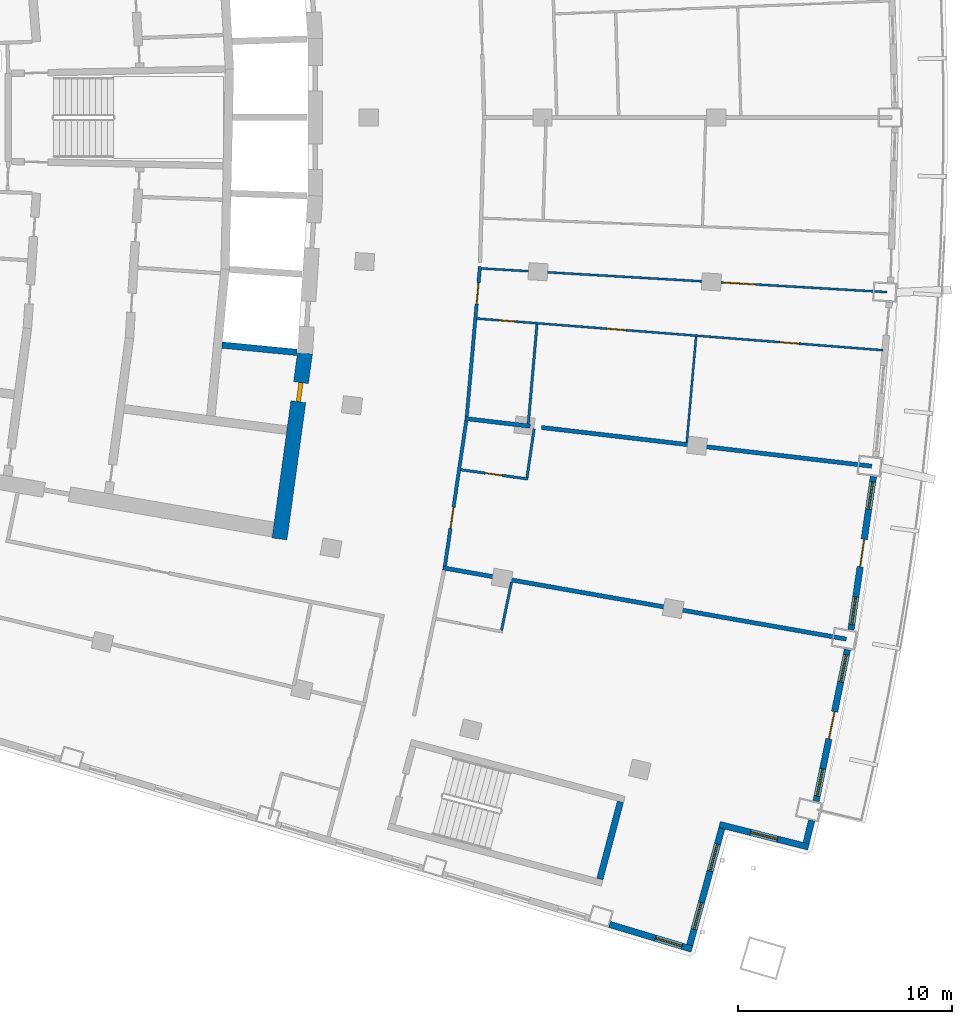
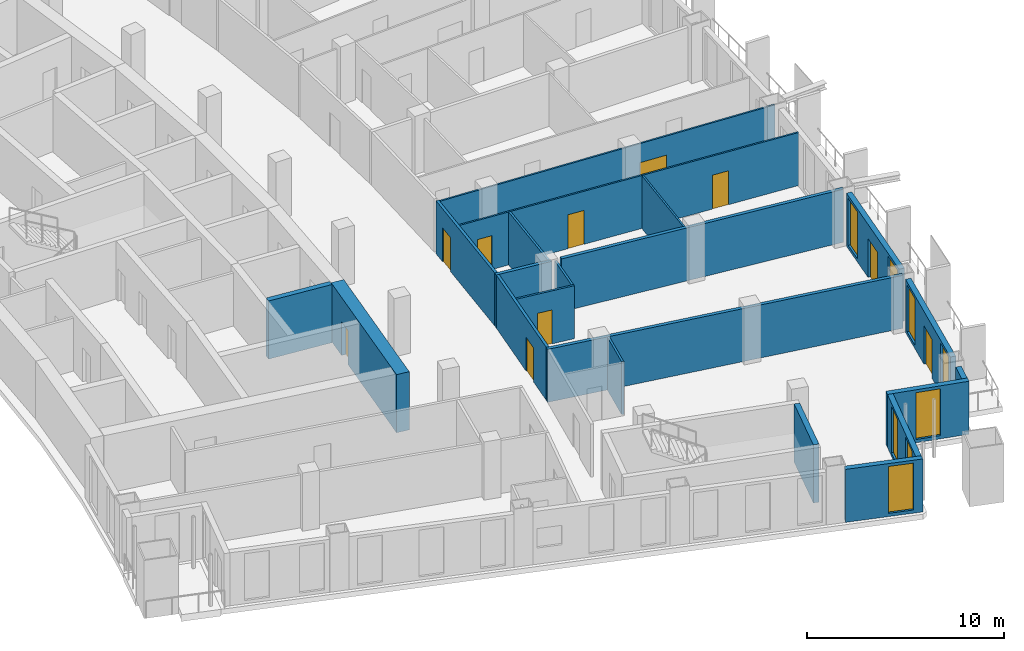
# One storey, part 12 of 20: 21 walls, 10 doors, 8 windows, 18 openings.
"""IFC4 building model written with IfcOpenShell, lengths in metres."""

from ifc_helpers import new_model, si_unit, direction, frame, frame_2d, origin, place, context, subcontext, project, spatial, rectangle, extrude, material, layer, layer_set, type_object, element, fill, save


model = new_model("IFC4")

# Units and contexts
model_context = context("Model", 3, precision=1e-05, world=origin(), true_north=direction((0.0, 1.0)))
body_context = subcontext(model_context, "Body", "Model", "MODEL_VIEW")
ifc_project = project(units=[si_unit("LENGTHUNIT", "METRE"), si_unit("AREAUNIT", "SQUARE_METRE"), si_unit("VOLUMEUNIT", "CUBIC_METRE"), si_unit("PLANEANGLEUNIT", "RADIAN"), si_unit("MASSUNIT", "GRAM", prefix="KILO")], contexts=[model_context])

# Site, building, storey
site_placement = place(None, origin())
site = spatial("IfcSite", under=ifc_project, at=site_placement, CompositionType="ELEMENT")
building_placement = place(site_placement, origin())
building = spatial("IfcBuilding", under=site, at=building_placement, Name="Alderwake Tower", CompositionType="ELEMENT")
storey_placement = place(building_placement, frame((0.0, 0.0, 142.39990234375)))
storey = spatial("IfcBuildingStorey", under=building, at=storey_placement, Name="L34", CompositionType="ELEMENT", Elevation=142.39990234375)

# Wall, opening, door
ifc_material_1 = material(Name="Concrete C70/85", Category="concrete")
ifc_layer_1 = layer(ifc_material_1, 0.699951171875)
ifc_layer_set_1 = layer_set([ifc_layer_1], Name="Core wall outer 700 C70-85")
wall_type_1 = type_object("IfcWallType", Name="Core wall outer 700 C70-85", PredefinedType="SHEAR", material=ifc_layer_set_1)
wall_1_placement = place(storey_placement, frame((32.81298828125, 49.97412109375, 0.0), z_axis=(0.0, 0.0, 1.0), x_axis=(-0.135835706655, -0.99073137671, 0.0)))
wall_1 = element("IfcWall", 1, at=wall_1_placement, inside=storey, type_object=wall_type_1, Name="Core wall CW.012", PredefinedType="SHEAR", context=body_context, shape_type="SweptSolid", body=[
    extrude(rectangle(XDim=8.790771484375, YDim=0.699951171875, at=frame_2d((4.3955078125, 0.0))), origin(), (0.0, 0.0, 1.0), 3.60009765625),
])
opening_1_placement = place(wall_1_placement, frame((1.40478515625, 0.0, 0.0)))
opening_1 = element("IfcOpeningElement", 2, at=opening_1_placement, cuts=wall_1, Name="Opening C050", PredefinedType="OPENING", context=body_context, shape_type="SweptSolid", body=[
    extrude(rectangle(XDim=0.89990234375, YDim=2.10009765625, at=frame_2d((0.449951171875, 1.050048828125))), frame((0.0, 0.35986328125, 0.0), z_axis=(0.0, -1.0, 0.0), x_axis=(1.0, 0.0, 0.0)), (0.0, 0.0, 1.0), 0.719970703125),
])
ifc_material_2 = material(Name="Painted steel leaf", Category="steel")
door_type_1 = type_object("IfcDoorType", Name="Core room door 900", OperationType="SINGLE_SWING_LEFT", PredefinedType="DOOR", material=ifc_material_2)
door_1_placement = place(opening_1_placement, origin())
door_1 = element("IfcDoor", 3, at=door_1_placement, inside=storey, type_object=door_type_1, Name="Room door", OperationType="SINGLE_SWING_RIGHT", OverallHeight=2.10009765625, OverallWidth=0.89990234375, PredefinedType="DOOR", context=body_context, shape_type="SweptSolid", body=[
    extrude(rectangle(XDim=0.89990234375, YDim=2.10009765625, at=frame_2d((0.449951171875, 1.050048828125))), frame((0.0, 0.10009765625, 0.0), z_axis=(0.0, -1.0, 0.0), x_axis=(1.0, 0.0, 0.0)), (0.0, 0.0, 1.0), 0.199951171875),
])
fill(opening_1, door_1)

# Walls
ifc_material_3 = material(Name="Concrete C70/85", Category="concrete")
ifc_layer_2 = layer(ifc_material_3, 0.300048828125)
ifc_layer_set_2 = layer_set([ifc_layer_2], Name="Core wall shaft 300 C70-85")
wall_type_2 = type_object("IfcWallType", Name="Core wall shaft 300 C70-85", PredefinedType="SHEAR", material=ifc_layer_set_2)
wall_2_placement = place(storey_placement, frame((28.92529296875, 50.341552734375, 0.0), z_axis=(0.0, 0.0, 1.0), x_axis=(0.995245524877, -0.097397870674, 0.0)))
element("IfcWall", 4, at=wall_2_placement, inside=storey, type_object=wall_type_2, Name="Core wall CW.064", PredefinedType="SHEAR", context=body_context, shape_type="SweptSolid", body=[
    extrude(rectangle(XDim=3.5244140625, YDim=0.300048828125, at=frame_2d((1.76220703125, 0.0))), origin(), (0.0, 0.0, 1.0), 3.60009765625),
])
ifc_material_4 = material(Name="Concrete C70/85", Category="concrete")
ifc_layer_3 = layer(ifc_material_4, 0.300048828125)
ifc_layer_set_3 = layer_set([ifc_layer_3], Name="Core wall stair enclosure 300 C70-85")
wall_type_3 = type_object("IfcWallType", Name="Core wall stair enclosure 300 C70-85", PredefinedType="SHEAR", material=ifc_layer_set_3)
wall_3_placement = place(storey_placement, frame((46.6162109375, 25.334716796875, 0.0), z_axis=(0.0, 0.0, 1.0), x_axis=(0.257366821694, 0.966313778796, 0.0)))
element("IfcWall", 5, at=wall_3_placement, inside=storey, type_object=wall_type_3, Name="Core wall CW.085", PredefinedType="SHEAR", context=body_context, shape_type="SweptSolid", body=[
    extrude(rectangle(XDim=3.749755859375, YDim=0.300048828125, at=frame_2d((1.875, 0.0))), origin(), (0.0, 0.0, 1.0), 3.60009765625),
])

# Wall, opening, door
ifc_material_5 = material(Name="Gypsum board on metal studs, rated")
ifc_layer_4 = layer(ifc_material_5, 0.159912109375)
ifc_layer_set_4 = layer_set([ifc_layer_4], Name="Corridor wall 160")
wall_type_4 = type_object("IfcWallType", Name="Corridor wall 160", PredefinedType="PARTITIONING", material=ifc_layer_set_4)
wall_4_placement = place(storey_placement, frame((40.3623046875, 46.7939453125, 0.0), z_axis=(0.0, 0.0, 1.0), x_axis=(-0.1455042199, -0.989357630987, 0.0)))
wall_4 = element("IfcWall", 6, at=wall_4_placement, inside=storey, type_object=wall_type_4, Name="WL/L34/W22", PredefinedType="PARTITIONING", context=body_context, shape_type="SweptSolid", body=[
    extrude(rectangle(XDim=6.87109375, YDim=0.159912109375, at=frame_2d((3.435546875, 0.0))), origin(), (0.0, 0.0, 1.0), 3.280029296875),
])
opening_2_placement = place(wall_4_placement, frame((4.087890625, 0.0, 0.0)))
opening_2 = element("IfcOpeningElement", 7, at=opening_2_placement, cuts=wall_4, Name="Opening R09-U04.1", PredefinedType="OPENING", context=body_context, shape_type="SweptSolid", body=[
    extrude(rectangle(XDim=1.0, YDim=2.10009765625, at=frame_2d((0.5, 1.050048828125))), frame((0.0, 0.08984375, 0.0), z_axis=(0.0, -1.0, 0.0), x_axis=(1.0, 0.0, 0.0)), (0.0, 0.0, 1.0), 0.179931640625),
])
ifc_material_6 = material(Name="Solid timber leaf in steel frame", Category="steel")
door_type_2 = type_object("IfcDoorType", Name="Flat entrance door 1000 fire-rated", OperationType="SINGLE_SWING_LEFT", PredefinedType="DOOR", material=ifc_material_6)
door_2_placement = place(opening_2_placement, origin())
door_2 = element("IfcDoor", 8, at=door_2_placement, inside=storey, type_object=door_type_2, Name="DR/L34/U04.1", OperationType="SINGLE_SWING_LEFT", OverallHeight=2.10009765625, OverallWidth=1.0, PredefinedType="DOOR", context=body_context, shape_type="SweptSolid", body=[
    extrude(rectangle(XDim=1.0, YDim=2.10009765625, at=frame_2d((0.5, 1.050048828125))), frame((0.0, 0.02490234375, 0.0), z_axis=(0.0, -1.0, 0.0), x_axis=(1.0, 0.0, 0.0)), (0.0, 0.0, 1.0), 0.050048828125),
])
fill(opening_2, door_2)

wall_5_placement = place(storey_placement, frame((41.001953125, 54.013671875, 0.0), z_axis=(0.0, 0.0, 1.0), x_axis=(-0.087430787456, -0.996170596537, 0.0)))
wall_5 = element("IfcWall", 9, at=wall_5_placement, inside=storey, type_object=wall_type_4, Name="WL/L34/W24", PredefinedType="PARTITIONING", context=body_context, shape_type="SweptSolid", body=[
    extrude(rectangle(XDim=7.048095703125, YDim=0.159912109375, at=frame_2d((3.52392578125, 0.0))), origin(), (0.0, 0.0, 1.0), 3.280029296875),
])
opening_3_placement = place(wall_5_placement, frame((0.75830078125, 0.0, 0.0)))
opening_3 = element("IfcOpeningElement", 10, at=opening_3_placement, cuts=wall_5, Name="Opening R09-U05.2", PredefinedType="OPENING", context=body_context, shape_type="SweptSolid", body=[
    extrude(rectangle(XDim=1.0, YDim=2.10009765625, at=frame_2d((0.5, 1.050048828125))), frame((0.0, 0.08984375, 0.0), z_axis=(0.0, -1.0, 0.0), x_axis=(1.0, 0.0, 0.0)), (0.0, 0.0, 1.0), 0.179931640625),
])
door_3_placement = place(opening_3_placement, origin())
door_3 = element("IfcDoor", 11, at=door_3_placement, inside=storey, type_object=door_type_2, Name="DR/L34/U05.2", OperationType="SINGLE_SWING_LEFT", OverallHeight=2.10009765625, OverallWidth=1.0, PredefinedType="DOOR", context=body_context, shape_type="SweptSolid", body=[
    extrude(rectangle(XDim=1.0, YDim=2.10009765625, at=frame_2d((0.5, 1.050048828125))), frame((0.0, 0.02490234375, 0.0), z_axis=(0.0, -1.0, 0.0), x_axis=(1.0, 0.0, 0.0)), (0.0, 0.0, 1.0), 0.050048828125),
])
fill(opening_3, door_3)

# Wall
ifc_material_7 = material(Name="Precast concrete C50/60 spandrel panel", Category="concrete")
ifc_layer_5 = layer(ifc_material_7, 0.300048828125)
ifc_layer_set_5 = layer_set([ifc_layer_5], Name="External wall EW1 Precast concrete C50/60 spandrel")
wall_type_5 = type_object("IfcWallType", Name="External wall EW1 Precast concrete C50/60 spandrel", PredefinedType="SOLIDWALL", material=ifc_layer_set_5)
wall_6_placement = place(storey_placement, frame((56.27490234375, 27.021240234375, 0.0), z_axis=(0.0, 0.0, 1.0), x_axis=(0.238432301371, 0.971159120671, 0.0)))
element("IfcWall", 12, at=wall_6_placement, inside=storey, type_object=wall_type_5, Name="External wall 11", PredefinedType="SOLIDWALL", context=body_context, shape_type="SweptSolid", body=[
    extrude(rectangle(XDim=1.092529296875, YDim=0.300048828125, at=frame_2d((0.54638671875, 0.0))), origin(), (0.0, 0.0, 1.0), 3.280029296875),
])

# Wall, openings, door, windows
wall_7_placement = place(storey_placement, frame((56.739990234375, 28.98828125, 0.0), z_axis=(0.0, 0.0, 1.0), x_axis=(0.202747108549, 0.97923113205, 0.0)))
wall_7 = element("IfcWall", 13, at=wall_7_placement, inside=storey, type_object=wall_type_5, Name="External wall 12", PredefinedType="SOLIDWALL", context=body_context, shape_type="SweptSolid", body=[
    extrude(rectangle(XDim=7.245361328125, YDim=0.300048828125, at=frame_2d((3.62255859375, 0.0))), origin(), (0.0, 0.0, 1.0), 3.280029296875),
])
opening_4_placement = place(wall_7_placement, frame((0.2470703125, 0.0, 0.199951171875)))
opening_4 = element("IfcOpeningElement", 14, at=opening_4_placement, cuts=wall_7, Name="Opening W1", PredefinedType="OPENING", context=body_context, shape_type="SweptSolid", body=[
    extrude(rectangle(XDim=1.300048828125, YDim=2.89990234375, at=frame_2d((0.64990234375, 1.449951171875))), frame((0.0, 0.159912109375, 0.0), z_axis=(0.0, -1.0, 0.0), x_axis=(1.0, 0.0, 0.0)), (0.0, 0.0, 1.0), 0.320068359375),
])
opening_5_placement = place(wall_7_placement, frame((2.97265625, 0.0, 0.0)))
opening_5 = element("IfcOpeningElement", 15, at=opening_5_placement, cuts=wall_7, Name="Opening D02", PredefinedType="OPENING", context=body_context, shape_type="SweptSolid", body=[
    extrude(rectangle(XDim=1.300048828125, YDim=2.39990234375, at=frame_2d((0.64990234375, 1.199951171875))), frame((0.0, 0.159912109375, 0.0), z_axis=(0.0, -1.0, 0.0), x_axis=(1.0, 0.0, 0.0)), (0.0, 0.0, 1.0), 0.320068359375),
])
opening_6_placement = place(wall_7_placement, frame((5.698486328125, 0.0, 0.199951171875)))
opening_6 = element("IfcOpeningElement", 16, at=opening_6_placement, cuts=wall_7, Name="Opening W1", PredefinedType="OPENING", context=body_context, shape_type="SweptSolid", body=[
    extrude(rectangle(XDim=1.300048828125, YDim=2.89990234375, at=frame_2d((0.64990234375, 1.449951171875))), frame((0.0, 0.159912109375, 0.0), z_axis=(0.0, -1.0, 0.0), x_axis=(1.0, 0.0, 0.0)), (0.0, 0.0, 1.0), 0.320068359375),
])
ifc_material_8 = material(Name="Bronze tinted glass in aluminium frame", Category="aluminium")
door_type_3 = type_object("IfcDoorType", Name="Balcony door BD sliding", OperationType="SLIDING_TO_LEFT", PredefinedType="DOOR", material=ifc_material_8)
door_4_placement = place(opening_5_placement, origin())
door_4 = element("IfcDoor", 17, at=door_4_placement, inside=storey, type_object=door_type_3, Name="Door D02", OperationType="SLIDING_TO_LEFT", OverallHeight=2.39990234375, OverallWidth=1.300048828125, PredefinedType="DOOR", context=body_context, shape_type="SweptSolid", body=[
    extrude(rectangle(XDim=1.300048828125, YDim=2.39990234375, at=frame_2d((0.64990234375, 1.199951171875))), frame((0.0, 0.02490234375, 0.0), z_axis=(0.0, -1.0, 0.0), x_axis=(1.0, 0.0, 0.0)), (0.0, 0.0, 1.0), 0.050048828125),
])
fill(opening_5, door_4)
ifc_material_9 = material(Name="Bronze tinted glass in aluminium frame", Category="aluminium")
window_type = type_object("IfcWindowType", Name="Window W1 tall fixed and vent", PartitioningType="DOUBLE_PANEL_VERTICAL", PredefinedType="WINDOW", material=ifc_material_9)
window_1_placement = place(opening_4_placement, origin())
window_1 = element("IfcWindow", 18, at=window_1_placement, inside=storey, type_object=window_type, Name="Window W1 tall fixed and vent", OverallHeight=2.89990234375, OverallWidth=1.300048828125, PartitioningType="DOUBLE_PANEL_VERTICAL", PredefinedType="WINDOW", context=body_context, shape_type="SweptSolid", body=[
    extrude(rectangle(XDim=1.300048828125, YDim=2.89990234375, at=frame_2d((0.64990234375, 1.449951171875))), frame((0.0, 0.030029296875, 0.0), z_axis=(0.0, -1.0, 0.0), x_axis=(1.0, 0.0, 0.0)), (0.0, 0.0, 1.0), 0.06005859375),
])
fill(opening_4, window_1)
window_2_placement = place(opening_6_placement, origin())
window_2 = element("IfcWindow", 19, at=window_2_placement, inside=storey, type_object=window_type, Name="Window W1 tall fixed and vent", OverallHeight=2.89990234375, OverallWidth=1.300048828125, PartitioningType="DOUBLE_PANEL_VERTICAL", PredefinedType="WINDOW", context=body_context, shape_type="SweptSolid", body=[
    extrude(rectangle(XDim=1.300048828125, YDim=2.89990234375, at=frame_2d((0.64990234375, 1.449951171875))), frame((0.0, 0.030029296875, 0.0), z_axis=(0.0, -1.0, 0.0), x_axis=(1.0, 0.0, 0.0)), (0.0, 0.0, 1.0), 0.06005859375),
])
fill(opening_6, window_2)

wall_8_placement = place(storey_placement, frame((58.37353515625, 37.0146484375, 0.0), z_axis=(0.0, 0.0, 1.0), x_axis=(0.145331014962, 0.989383088642, 0.0)))
wall_8 = element("IfcWall", 20, at=wall_8_placement, inside=storey, type_object=wall_type_5, Name="External wall 13", PredefinedType="SOLIDWALL", context=body_context, shape_type="SweptSolid", body=[
    extrude(rectangle(XDim=7.245361328125, YDim=0.300048828125, at=frame_2d((3.62255859375, 0.0))), origin(), (0.0, 0.0, 1.0), 3.280029296875),
])
opening_7_placement = place(wall_8_placement, frame((0.2470703125, 0.0, 0.199951171875)))
opening_7 = element("IfcOpeningElement", 21, at=opening_7_placement, cuts=wall_8, Name="Opening W1", PredefinedType="OPENING", context=body_context, shape_type="SweptSolid", body=[
    extrude(rectangle(XDim=1.300048828125, YDim=2.89990234375, at=frame_2d((0.64990234375, 1.449951171875))), frame((0.0, 0.159912109375, 0.0), z_axis=(0.0, -1.0, 0.0), x_axis=(1.0, 0.0, 0.0)), (0.0, 0.0, 1.0), 0.320068359375),
])
opening_8_placement = place(wall_8_placement, frame((2.97265625, 0.0, 0.0)))
opening_8 = element("IfcOpeningElement", 22, at=opening_8_placement, cuts=wall_8, Name="Opening D03", PredefinedType="OPENING", context=body_context, shape_type="SweptSolid", body=[
    extrude(rectangle(XDim=1.300048828125, YDim=2.39990234375, at=frame_2d((0.64990234375, 1.199951171875))), frame((0.0, 0.159912109375, 0.0), z_axis=(0.0, -1.0, 0.0), x_axis=(1.0, 0.0, 0.0)), (0.0, 0.0, 1.0), 0.320068359375),
])
opening_9_placement = place(wall_8_placement, frame((5.698486328125, 0.0, 0.199951171875)))
opening_9 = element("IfcOpeningElement", 23, at=opening_9_placement, cuts=wall_8, Name="Opening W1", PredefinedType="OPENING", context=body_context, shape_type="SweptSolid", body=[
    extrude(rectangle(XDim=1.300048828125, YDim=2.89990234375, at=frame_2d((0.64990234375, 1.449951171875))), frame((0.0, 0.159912109375, 0.0), z_axis=(0.0, -1.0, 0.0), x_axis=(1.0, 0.0, 0.0)), (0.0, 0.0, 1.0), 0.320068359375),
])
door_5_placement = place(opening_8_placement, origin())
door_5 = element("IfcDoor", 24, at=door_5_placement, inside=storey, type_object=door_type_3, Name="Door D03", OperationType="SLIDING_TO_LEFT", OverallHeight=2.39990234375, OverallWidth=1.300048828125, PredefinedType="DOOR", context=body_context, shape_type="SweptSolid", body=[
    extrude(rectangle(XDim=1.300048828125, YDim=2.39990234375, at=frame_2d((0.64990234375, 1.199951171875))), frame((0.0, 0.02490234375, 0.0), z_axis=(0.0, -1.0, 0.0), x_axis=(1.0, 0.0, 0.0)), (0.0, 0.0, 1.0), 0.050048828125),
])
fill(opening_8, door_5)
window_3_placement = place(opening_7_placement, origin())
window_3 = element("IfcWindow", 25, at=window_3_placement, inside=storey, type_object=window_type, Name="Window W1 tall fixed and vent", OverallHeight=2.89990234375, OverallWidth=1.300048828125, PartitioningType="DOUBLE_PANEL_VERTICAL", PredefinedType="WINDOW", context=body_context, shape_type="SweptSolid", body=[
    extrude(rectangle(XDim=1.300048828125, YDim=2.89990234375, at=frame_2d((0.64990234375, 1.449951171875))), frame((0.0, 0.030029296875, 0.0), z_axis=(0.0, -1.0, 0.0), x_axis=(1.0, 0.0, 0.0)), (0.0, 0.0, 1.0), 0.06005859375),
])
fill(opening_7, window_3)
window_4_placement = place(opening_9_placement, origin())
window_4 = element("IfcWindow", 26, at=window_4_placement, inside=storey, type_object=window_type, Name="Window W1 tall fixed and vent", OverallHeight=2.89990234375, OverallWidth=1.300048828125, PartitioningType="DOUBLE_PANEL_VERTICAL", PredefinedType="WINDOW", context=body_context, shape_type="SweptSolid", body=[
    extrude(rectangle(XDim=1.300048828125, YDim=2.89990234375, at=frame_2d((0.64990234375, 1.449951171875))), frame((0.0, 0.030029296875, 0.0), z_axis=(0.0, -1.0, 0.0), x_axis=(1.0, 0.0, 0.0)), (0.0, 0.0, 1.0), 0.06005859375),
])
fill(opening_9, window_4)

# Wall, opening, window
ifc_material_10 = material(Name="Bronze metal cladding on lightweight framing")
ifc_layer_6 = layer(ifc_material_10, 0.300048828125)
ifc_layer_set_6 = layer_set([ifc_layer_6], Name="External wall EW2 bronze metal cladding")
wall_type_6 = type_object("IfcWallType", Name="External wall EW2 bronze metal cladding", PredefinedType="SOLIDWALL", material=ifc_layer_set_6)
wall_9_placement = place(storey_placement, frame((47.06884765625, 23.215576171875, 0.0), z_axis=(0.0, 0.0, 1.0), x_axis=(0.957766232728, -0.287547984598, 0.0)))
wall_9 = element("IfcWall", 27, at=wall_9_placement, inside=storey, type_object=wall_type_6, Name="External wall 8", PredefinedType="SOLIDWALL", context=body_context, shape_type="SweptSolid", body=[
    extrude(rectangle(XDim=4.029541015625, YDim=0.300048828125, at=frame_2d((2.0146484375, 0.0))), origin(), (0.0, 0.0, 1.0), 3.280029296875),
])
opening_10_placement = place(wall_9_placement, frame((2.24658203125, 0.0, 0.199951171875)))
opening_10 = element("IfcOpeningElement", 28, at=opening_10_placement, cuts=wall_9, Name="Opening W1", PredefinedType="OPENING", context=body_context, shape_type="SweptSolid", body=[
    extrude(rectangle(XDim=1.300048828125, YDim=2.89990234375, at=frame_2d((0.64990234375, 1.449951171875))), frame((0.0, 0.159912109375, 0.0), z_axis=(0.0, -1.0, 0.0), x_axis=(1.0, 0.0, 0.0)), (0.0, 0.0, 1.0), 0.320068359375),
])
window_5_placement = place(opening_10_placement, origin())
window_5 = element("IfcWindow", 29, at=window_5_placement, inside=storey, type_object=window_type, Name="Window W1 tall fixed and vent", OverallHeight=2.89990234375, OverallWidth=1.300048828125, PartitioningType="DOUBLE_PANEL_VERTICAL", PredefinedType="WINDOW", context=body_context, shape_type="SweptSolid", body=[
    extrude(rectangle(XDim=1.300048828125, YDim=2.89990234375, at=frame_2d((0.64990234375, 1.449951171875))), frame((0.0, 0.030029296875, 0.0), z_axis=(0.0, -1.0, 0.0), x_axis=(1.0, 0.0, 0.0)), (0.0, 0.0, 1.0), 0.06005859375),
])
fill(opening_10, window_5)

# Wall, openings, windows
wall_10_placement = place(storey_placement, frame((50.82421875, 22.24462890625, 0.0), z_axis=(0.0, 0.0, 1.0), x_axis=(0.265135464682, 0.964211172601, 0.0)))
wall_10 = element("IfcWall", 30, at=wall_10_placement, inside=storey, type_object=wall_type_6, Name="External wall 9", PredefinedType="SOLIDWALL", context=body_context, shape_type="SweptSolid", body=[
    extrude(rectangle(XDim=5.66943359375, YDim=0.300048828125, at=frame_2d((2.834716796875, 0.0))), origin(), (0.0, 0.0, 1.0), 3.280029296875),
])
opening_11_placement = place(wall_10_placement, frame((0.767333984375, 0.0, 0.199951171875)))
opening_11 = element("IfcOpeningElement", 31, at=opening_11_placement, cuts=wall_10, Name="Opening W1", PredefinedType="OPENING", context=body_context, shape_type="SweptSolid", body=[
    extrude(rectangle(XDim=1.300048828125, YDim=2.89990234375, at=frame_2d((0.64990234375, 1.449951171875))), frame((0.0, 0.159912109375, 0.0), z_axis=(0.0, -1.0, 0.0), x_axis=(1.0, 0.0, 0.0)), (0.0, 0.0, 1.0), 0.320068359375),
])
opening_12_placement = place(wall_10_placement, frame((3.60205078125, 0.0, 0.199951171875)))
opening_12 = element("IfcOpeningElement", 32, at=opening_12_placement, cuts=wall_10, Name="Opening W1", PredefinedType="OPENING", context=body_context, shape_type="SweptSolid", body=[
    extrude(rectangle(XDim=1.300048828125, YDim=2.89990234375, at=frame_2d((0.64990234375, 1.449951171875))), frame((0.0, 0.159912109375, 0.0), z_axis=(0.0, -1.0, 0.0), x_axis=(1.0, 0.0, 0.0)), (0.0, 0.0, 1.0), 0.320068359375),
])
window_6_placement = place(opening_11_placement, origin())
window_6 = element("IfcWindow", 33, at=window_6_placement, inside=storey, type_object=window_type, Name="Window W1 tall fixed and vent", OverallHeight=2.89990234375, OverallWidth=1.300048828125, PartitioningType="DOUBLE_PANEL_VERTICAL", PredefinedType="WINDOW", context=body_context, shape_type="SweptSolid", body=[
    extrude(rectangle(XDim=1.300048828125, YDim=2.89990234375, at=frame_2d((0.64990234375, 1.449951171875))), frame((0.0, 0.030029296875, 0.0), z_axis=(0.0, -1.0, 0.0), x_axis=(1.0, 0.0, 0.0)), (0.0, 0.0, 1.0), 0.06005859375),
])
fill(opening_11, window_6)
window_7_placement = place(opening_12_placement, origin())
window_7 = element("IfcWindow", 34, at=window_7_placement, inside=storey, type_object=window_type, Name="Window W1 tall fixed and vent", OverallHeight=2.89990234375, OverallWidth=1.300048828125, PartitioningType="DOUBLE_PANEL_VERTICAL", PredefinedType="WINDOW", context=body_context, shape_type="SweptSolid", body=[
    extrude(rectangle(XDim=1.300048828125, YDim=2.89990234375, at=frame_2d((0.64990234375, 1.449951171875))), frame((0.0, 0.030029296875, 0.0), z_axis=(0.0, -1.0, 0.0), x_axis=(1.0, 0.0, 0.0)), (0.0, 0.0, 1.0), 0.06005859375),
])
fill(opening_12, window_7)

# Wall, opening, window
wall_11_placement = place(storey_placement, frame((52.2216796875, 27.892578125, 0.0), z_axis=(0.0, 0.0, 1.0), x_axis=(0.969429385377, -0.245370468408, 0.0)))
wall_11 = element("IfcWall", 35, at=wall_11_placement, inside=storey, type_object=wall_type_6, Name="External wall 10", PredefinedType="SOLIDWALL", context=body_context, shape_type="SweptSolid", body=[
    extrude(rectangle(XDim=4.29443359375, YDim=0.300048828125, at=frame_2d((2.147216796875, 0.0))), origin(), (0.0, 0.0, 1.0), 3.280029296875),
])
opening_13_placement = place(wall_11_placement, frame((1.4970703125, 0.0, 0.199951171875)))
opening_13 = element("IfcOpeningElement", 36, at=opening_13_placement, cuts=wall_11, Name="Opening W1", PredefinedType="OPENING", context=body_context, shape_type="SweptSolid", body=[
    extrude(rectangle(XDim=1.300048828125, YDim=2.89990234375, at=frame_2d((0.64990234375, 1.449951171875))), frame((0.0, 0.159912109375, 0.0), z_axis=(0.0, -1.0, 0.0), x_axis=(1.0, 0.0, 0.0)), (0.0, 0.0, 1.0), 0.320068359375),
])
window_8_placement = place(opening_13_placement, origin())
window_8 = element("IfcWindow", 37, at=window_8_placement, inside=storey, type_object=window_type, Name="Window W1 tall fixed and vent", OverallHeight=2.89990234375, OverallWidth=1.300048828125, PartitioningType="DOUBLE_PANEL_VERTICAL", PredefinedType="WINDOW", context=body_context, shape_type="SweptSolid", body=[
    extrude(rectangle(XDim=1.300048828125, YDim=2.89990234375, at=frame_2d((0.64990234375, 1.449951171875))), frame((0.0, 0.030029296875, 0.0), z_axis=(0.0, -1.0, 0.0), x_axis=(1.0, 0.0, 0.0)), (0.0, 0.0, 1.0), 0.06005859375),
])
fill(opening_13, window_8)

# Walls
ifc_material_11 = material(Name="Dense block masonry wall", Category="masonry")
ifc_layer_7 = layer(ifc_material_11, 0.199951171875)
ifc_layer_set_7 = layer_set([ifc_layer_7], Name="Party wall 200")
wall_type_7 = type_object("IfcWallType", Name="Party wall 200", PredefinedType="SOLIDWALL", material=ifc_layer_set_7)
wall_12_placement = place(storey_placement, frame((43.356201171875, 46.542236328125, 0.0), z_axis=(0.0, 0.0, 1.0), x_axis=(-0.993140319253, 0.116928637524, 0.0)))
element("IfcWall", 38, at=wall_12_placement, inside=storey, type_object=wall_type_7, Name="WL/L34/W02", PredefinedType="SOLIDWALL", context=body_context, shape_type="SweptSolid", body=[
    extrude(rectangle(XDim=3.079833984375, YDim=0.199951171875, at=frame_2d((1.5400390625, 0.0))), origin(), (0.0, 0.0, 1.0), 3.280029296875),
])
wall_13_placement = place(storey_placement, frame((58.157958984375, 36.572998046875, 0.0), z_axis=(0.0, 0.0, 1.0), x_axis=(-0.984742528345, 0.174017679758, 0.0)))
element("IfcWall", 39, at=wall_13_placement, inside=storey, type_object=wall_type_7, Name="WL/L34/W04", PredefinedType="SOLIDWALL", context=body_context, shape_type="SweptSolid", body=[
    extrude(rectangle(XDim=19.181396484375, YDim=0.199951171875, at=frame_2d((9.5908203125, 0.0))), origin(), (0.0, 0.0, 1.0), 3.280029296875),
])
wall_14_placement = place(storey_placement, frame((59.345947265625, 44.669921875, 0.0), z_axis=(0.0, 0.0, 1.0), x_axis=(-0.993200294358, 0.116418105499, 0.0)))
element("IfcWall", 40, at=wall_14_placement, inside=storey, type_object=wall_type_7, Name="WL/L34/W05", PredefinedType="SOLIDWALL", context=body_context, shape_type="SweptSolid", body=[
    extrude(rectangle(XDim=15.56689453125, YDim=0.199951171875, at=frame_2d((7.783447265625, 0.0))), origin(), (0.0, 0.0, 1.0), 3.280029296875),
])

# Wall, openings, doors
ifc_material_12 = material(Name="Gypsum board on metal studs")
ifc_layer_8 = layer(ifc_material_12, 0.10009765625)
ifc_layer_set_8 = layer_set([ifc_layer_8], Name="Unit partition 100")
wall_type_8 = type_object("IfcWallType", Name="Unit partition 100", PredefinedType="PARTITIONING", material=ifc_layer_set_8)
wall_15_placement = place(storey_placement, frame((59.8740234375, 50.10009765625, 0.0), z_axis=(0.0, 0.0, 1.0), x_axis=(-0.996975008821, 0.077722788071, 0.0)))
wall_15 = element("IfcWall", 41, at=wall_15_placement, inside=storey, type_object=wall_type_8, Name="WL/L34/W45", PredefinedType="PARTITIONING", context=body_context, shape_type="SweptSolid", body=[
    extrude(rectangle(XDim=19.063720703125, YDim=0.10009765625, at=frame_2d((9.53173828125, 0.0))), origin(), (0.0, 0.0, 1.0), 3.280029296875),
])
opening_14_placement = place(wall_15_placement, frame((12.059814453125, 0.0, 0.0)))
opening_14 = element("IfcOpeningElement", 42, at=opening_14_placement, cuts=wall_15, Name="Opening R09-U05.1", PredefinedType="OPENING", context=body_context, shape_type="SweptSolid", body=[
    extrude(rectangle(XDim=0.89990234375, YDim=2.10009765625, at=frame_2d((0.449951171875, 1.050048828125))), frame((0.0, 0.06005859375, 0.0), z_axis=(0.0, -1.0, 0.0), x_axis=(1.0, 0.0, 0.0)), (0.0, 0.0, 1.0), 0.1201171875),
])
opening_15_placement = place(wall_15_placement, frame((17.25439453125, 0.0, 0.0)))
opening_15 = element("IfcOpeningElement", 43, at=opening_15_placement, cuts=wall_15, Name="Opening R09-U05.3", PredefinedType="OPENING", context=body_context, shape_type="SweptSolid", body=[
    extrude(rectangle(XDim=0.800048828125, YDim=2.10009765625, at=frame_2d((0.39990234375, 1.050048828125))), frame((0.0, 0.06005859375, 0.0), z_axis=(0.0, -1.0, 0.0), x_axis=(1.0, 0.0, 0.0)), (0.0, 0.0, 1.0), 0.1201171875),
])
opening_16_placement = place(wall_15_placement, frame((3.93798828125, 0.0, 0.0)))
opening_16 = element("IfcOpeningElement", 44, at=opening_16_placement, cuts=wall_15, Name="Opening R09-U05.4", PredefinedType="OPENING", context=body_context, shape_type="SweptSolid", body=[
    extrude(rectangle(XDim=0.89990234375, YDim=2.10009765625, at=frame_2d((0.449951171875, 1.050048828125))), frame((0.0, 0.06005859375, 0.0), z_axis=(0.0, -1.0, 0.0), x_axis=(1.0, 0.0, 0.0)), (0.0, 0.0, 1.0), 0.1201171875),
])
ifc_material_13 = material(Name="Painted timber leaf", Category="wood")
door_type_4 = type_object("IfcDoorType", Name="Bathroom door 800", OperationType="SINGLE_SWING_LEFT", PredefinedType="DOOR", material=ifc_material_13)
door_6_placement = place(opening_15_placement, origin())
door_6 = element("IfcDoor", 45, at=door_6_placement, inside=storey, type_object=door_type_4, Name="DR/L34/U05.3", OperationType="SINGLE_SWING_LEFT", OverallHeight=2.10009765625, OverallWidth=0.800048828125, PredefinedType="DOOR", context=body_context, shape_type="SweptSolid", body=[
    extrude(rectangle(XDim=0.800048828125, YDim=2.10009765625, at=frame_2d((0.39990234375, 1.050048828125))), frame((0.0, 0.02490234375, 0.0), z_axis=(0.0, -1.0, 0.0), x_axis=(1.0, 0.0, 0.0)), (0.0, 0.0, 1.0), 0.050048828125),
])
fill(opening_15, door_6)
ifc_material_14 = material(Name="Painted timber leaf", Category="wood")
door_type_5 = type_object("IfcDoorType", Name="Room door 900", OperationType="SINGLE_SWING_LEFT", PredefinedType="DOOR", material=ifc_material_14)
door_7_placement = place(opening_14_placement, origin())
door_7 = element("IfcDoor", 46, at=door_7_placement, inside=storey, type_object=door_type_5, Name="DR/L34/U05.1", OperationType="SINGLE_SWING_LEFT", OverallHeight=2.10009765625, OverallWidth=0.89990234375, PredefinedType="DOOR", context=body_context, shape_type="SweptSolid", body=[
    extrude(rectangle(XDim=0.89990234375, YDim=2.10009765625, at=frame_2d((0.449951171875, 1.050048828125))), frame((0.0, 0.02490234375, 0.0), z_axis=(0.0, -1.0, 0.0), x_axis=(1.0, 0.0, 0.0)), (0.0, 0.0, 1.0), 0.050048828125),
])
fill(opening_14, door_7)
door_8_placement = place(opening_16_placement, origin())
door_8 = element("IfcDoor", 47, at=door_8_placement, inside=storey, type_object=door_type_5, Name="DR/L34/U05.4", OperationType="SINGLE_SWING_LEFT", OverallHeight=2.10009765625, OverallWidth=0.89990234375, PredefinedType="DOOR", context=body_context, shape_type="SweptSolid", body=[
    extrude(rectangle(XDim=0.89990234375, YDim=2.10009765625, at=frame_2d((0.449951171875, 1.050048828125))), frame((0.0, 0.02490234375, 0.0), z_axis=(0.0, -1.0, 0.0), x_axis=(1.0, 0.0, 0.0)), (0.0, 0.0, 1.0), 0.050048828125),
])
fill(opening_16, door_8)

# Wall
wall_16_placement = place(storey_placement, frame((50.687744140625, 45.78369140625, 0.0), z_axis=(0.0, 0.0, 1.0), x_axis=(0.087352937881, 0.996177426086, 0.0)))
element("IfcWall", 48, at=wall_16_placement, inside=storey, type_object=wall_type_8, Name="WL/L34/W51", PredefinedType="PARTITIONING", context=body_context, shape_type="SweptSolid", body=[
    extrude(rectangle(XDim=4.966552734375, YDim=0.10009765625, at=frame_2d((2.4833984375, 0.0))), origin(), (0.0, 0.0, 1.0), 3.280029296875),
])

# Wall, opening, door
wall_17_placement = place(storey_placement, frame((41.074951171875, 53.92919921875, 0.0), z_axis=(0.0, 0.0, 1.0), x_axis=(0.998300831889, -0.058270481797, 0.0)))
wall_17 = element("IfcWall", 49, at=wall_17_placement, inside=storey, type_object=wall_type_8, Name="WL/L34/W56", PredefinedType="PARTITIONING", context=body_context, shape_type="SweptSolid", body=[
    extrude(rectangle(XDim=19.017333984375, YDim=0.10009765625, at=frame_2d((9.5087890625, 0.0))), origin(), (0.0, 0.0, 1.0), 3.280029296875),
])
opening_17_placement = place(wall_17_placement, frame((11.350341796875, 0.0, 0.0)))
opening_17 = element("IfcOpeningElement", 50, at=opening_17_placement, cuts=wall_17, Name="Opening R09-U05.8", PredefinedType="OPENING", context=body_context, shape_type="SweptSolid", body=[
    extrude(rectangle(XDim=1.5, YDim=2.10009765625, at=frame_2d((0.75, 1.050048828125))), frame((0.0, 0.06005859375, 0.0), z_axis=(0.0, -1.0, 0.0), x_axis=(1.0, 0.0, 0.0)), (0.0, 0.0, 1.0), 0.1201171875),
])
ifc_material_15 = material(Name="Painted timber leaves", Category="wood")
door_type_6 = type_object("IfcDoorType", Name="Double leaf door 1500", OperationType="DOUBLE_DOOR_SINGLE_SWING", PredefinedType="DOOR", material=ifc_material_15)
door_9_placement = place(opening_17_placement, origin())
door_9 = element("IfcDoor", 51, at=door_9_placement, inside=storey, type_object=door_type_6, Name="DR/L34/U05.8", OperationType="DOUBLE_DOOR_SINGLE_SWING", OverallHeight=2.10009765625, OverallWidth=1.5, PredefinedType="DOOR", context=body_context, shape_type="SweptSolid", body=[
    extrude(rectangle(XDim=1.5, YDim=2.10009765625, at=frame_2d((0.75, 1.050048828125))), frame((0.0, 0.02490234375, 0.0), z_axis=(0.0, -1.0, 0.0), x_axis=(1.0, 0.0, 0.0)), (0.0, 0.0, 1.0), 0.050048828125),
])
fill(opening_17, door_9)

ifc_material_16 = material(Name="Moisture resistant gypsum board on metal studs")
ifc_layer_9 = layer(ifc_material_16, 0.1201171875)
ifc_layer_set_9 = layer_set([ifc_layer_9], Name="Wet room partition 120")
wall_type_9 = type_object("IfcWallType", Name="Wet room partition 120", PredefinedType="PARTITIONING", material=ifc_layer_set_9)
wall_18_placement = place(storey_placement, frame((40.105224609375, 44.503173828125, 0.0), z_axis=(0.0, 0.0, 1.0), x_axis=(0.990717255946, -0.135938658114, 0.0)))
wall_18 = element("IfcWall", 52, at=wall_18_placement, inside=storey, type_object=wall_type_9, Name="WL/L34/W35", PredefinedType="PARTITIONING", context=body_context, shape_type="SweptSolid", body=[
    extrude(rectangle(XDim=3.1806640625, YDim=0.1201171875, at=frame_2d((1.59033203125, 0.0))), origin(), (0.0, 0.0, 1.0), 3.280029296875),
])
opening_18_placement = place(wall_18_placement, frame((1.159912109375, 0.0, 0.0)))
opening_18 = element("IfcOpeningElement", 53, at=opening_18_placement, cuts=wall_18, Name="Opening R09-U04.2", PredefinedType="OPENING", context=body_context, shape_type="SweptSolid", body=[
    extrude(rectangle(XDim=0.800048828125, YDim=2.10009765625, at=frame_2d((0.39990234375, 1.050048828125))), frame((0.0, 0.070068359375, 0.0), z_axis=(0.0, -1.0, 0.0), x_axis=(1.0, 0.0, 0.0)), (0.0, 0.0, 1.0), 0.14013671875),
])
door_10_placement = place(opening_18_placement, origin())
door_10 = element("IfcDoor", 54, at=door_10_placement, inside=storey, type_object=door_type_4, Name="DR/L34/U04.2", OperationType="SINGLE_SWING_LEFT", OverallHeight=2.10009765625, OverallWidth=0.800048828125, PredefinedType="DOOR", context=body_context, shape_type="SweptSolid", body=[
    extrude(rectangle(XDim=0.800048828125, YDim=2.10009765625, at=frame_2d((0.39990234375, 1.050048828125))), frame((0.0, 0.02490234375, 0.0), z_axis=(0.0, -1.0, 0.0), x_axis=(1.0, 0.0, 0.0)), (0.0, 0.0, 1.0), 0.050048828125),
])
fill(opening_18, door_10)

# Walls
wall_19_placement = place(storey_placement, frame((42.01220703125, 36.98291015625, 0.0), z_axis=(0.0, 0.0, 1.0), x_axis=(0.202902782082, 0.979198887368, 0.0)))
element("IfcWall", 55, at=wall_19_placement, inside=storey, type_object=wall_type_9, Name="WL/L34/W36", PredefinedType="PARTITIONING", context=body_context, shape_type="SweptSolid", body=[
    extrude(rectangle(XDim=2.30908203125, YDim=0.1201171875, at=frame_2d((1.154541015625, 0.0))), origin(), (0.0, 0.0, 1.0), 3.280029296875),
])
wall_20_placement = place(storey_placement, frame((43.205810546875, 44.138427734375, 0.0), z_axis=(0.0, 0.0, 1.0), x_axis=(0.144604677987, 0.989489508335, 0.0)))
element("IfcWall", 56, at=wall_20_placement, inside=storey, type_object=wall_type_9, Name="WL/L34/W38", PredefinedType="PARTITIONING", context=body_context, shape_type="SweptSolid", body=[
    extrude(rectangle(XDim=2.307861328125, YDim=0.1201171875, at=frame_2d((1.15380859375, 0.0))), origin(), (0.0, 0.0, 1.0), 3.280029296875),
])
wall_21_placement = place(storey_placement, frame((43.265625, 46.65380859375, 0.0), z_axis=(0.0, 0.0, 1.0), x_axis=(0.087069112872, 0.996202273428, 0.0)))
element("IfcWall", 57, at=wall_21_placement, inside=storey, type_object=wall_type_9, Name="WL/L34/W39", PredefinedType="PARTITIONING", context=body_context, shape_type="SweptSolid", body=[
    extrude(rectangle(XDim=4.67431640625, YDim=0.1201171875, at=frame_2d((2.337158203125, 0.0))), origin(), (0.0, 0.0, 1.0), 3.280029296875),
])

save(model, "model.ifc")
